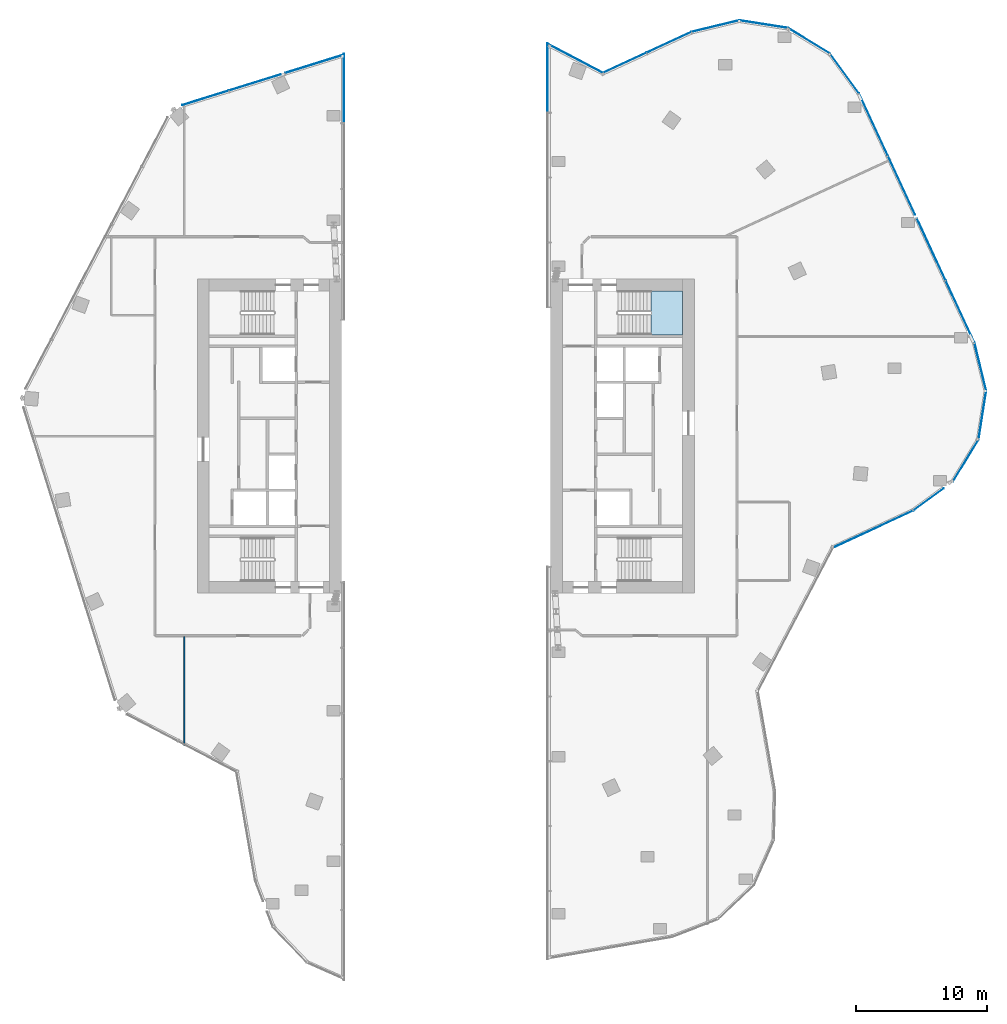
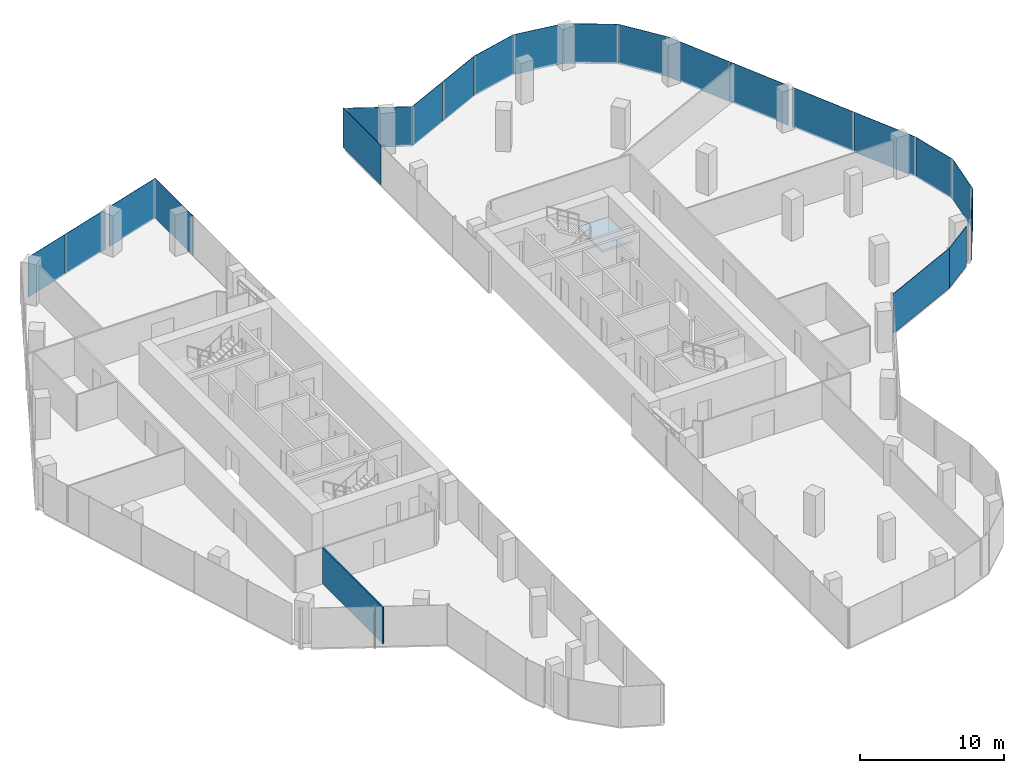
# One storey, part 17 of 23: 21 plates, 1 slab, 1 wall, 16 elements without a shape of their own.
"""IFC4 building model written with IfcOpenShell, lengths in metres."""

from ifc_helpers import new_model, si_unit, direction, frame, frame_2d, origin, origin_2d, place, context, subcontext, project, spatial, polyline, rectangle, outline, extrude, material, layer, layer_set, type_object, element, aggregate, save


model = new_model("IFC4")

# Units and contexts
model_context = context("Model", 3, precision=1e-05, world=origin(), true_north=direction((0.0, 1.0)))
body_context = subcontext(model_context, "Body", "Model", "MODEL_VIEW")
ifc_project = project(units=[si_unit("LENGTHUNIT", "METRE"), si_unit("AREAUNIT", "SQUARE_METRE"), si_unit("VOLUMEUNIT", "CUBIC_METRE"), si_unit("PLANEANGLEUNIT", "RADIAN"), si_unit("MASSUNIT", "GRAM", prefix="KILO")], contexts=[model_context])

# Site, building, storey
site_placement = place(None, origin())
site = spatial("IfcSite", under=ifc_project, at=site_placement, CompositionType="ELEMENT")
building_placement = place(site_placement, origin())
building = spatial("IfcBuilding", under=site, at=building_placement, Name="Orlundy Tower", CompositionType="ELEMENT")
storey_placement = place(building_placement, frame((0.0, 0.0, 264.0)))
storey = spatial("IfcBuildingStorey", under=building, at=storey_placement, Name="L70", CompositionType="ELEMENT", Elevation=264.0)

# Curtain wall, plates
ifc_material_1 = material(Name="Aluminium bronze anodised", Category="aluminium")
curtain_wall_type = type_object("IfcCurtainWallType", Name="CW1 wall", PredefinedType="NOTDEFINED", material=ifc_material_1)
curtain_wall_1_placement = place(storey_placement, origin())
curtain_wall_1 = element("IfcCurtainWall", 1, at=curtain_wall_1_placement, inside=storey, type_object=curtain_wall_type, Name="CW1 run 03", PredefinedType="NOTDEFINED")
ifc_material_2 = material(Name="Tinted glass", Category="glass")
ifc_layer_1 = layer(ifc_material_2, 0.031982421875)
ifc_layer_set_1 = layer_set([ifc_layer_1], Name="CW1 glass panel 32")
plate_type_1 = type_object("IfcPlateType", Name="CW1 glass panel 32", PredefinedType="CURTAIN_PANEL", material=ifc_layer_set_1)
plate_1_placement = place(storey_placement, frame((-18.385009765625, 25.860595703125, -0.280029296875), z_axis=(0.0, 0.0, 1.0), x_axis=(0.954586077066, 0.297935263894, 0.0)))
plate_1 = element("IfcPlate", 2, at=plate_1_placement, type_object=plate_type_1, Name="CW1 panel", PredefinedType="CURTAIN_PANEL", context=body_context, shape_type="SweptSolid", body=[
    extrude(rectangle(XDim=3.727294921875, YDim=0.031982421875, at=origin_2d()), origin(), (0.0, 0.0, 1.0), 3.3798828125),
])
plate_2_placement = place(storey_placement, frame((-14.598388671875, 27.042236328125, -0.280029296875), z_axis=(0.0, 0.0, 1.0), x_axis=(0.954586077066, 0.297935263894, 0.0)))
plate_2 = element("IfcPlate", 3, at=plate_2_placement, type_object=plate_type_1, Name="CW1 panel", PredefinedType="CURTAIN_PANEL", context=body_context, shape_type="SweptSolid", body=[
    extrude(rectangle(XDim=4.106201171875, YDim=0.031982421875, at=origin_2d()), origin(), (0.0, 0.0, 1.0), 3.3798828125),
])
plate_3_placement = place(storey_placement, frame((-10.0498046875, 28.4619140625, -0.280029296875), z_axis=(0.0, 0.0, 1.0), x_axis=(0.954586077066, 0.297935263894, 0.0)))
plate_3 = element("IfcPlate", 4, at=plate_3_placement, type_object=plate_type_1, Name="CW1 panel", PredefinedType="CURTAIN_PANEL", context=body_context, shape_type="SweptSolid", body=[
    extrude(rectangle(XDim=4.638427734375, YDim=0.031982421875, at=origin_2d()), origin(), (0.0, 0.0, 1.0), 3.3798828125),
])
aggregate(curtain_wall_1, [plate_1, plate_2, plate_3])

curtain_wall_2_placement = place(storey_placement, origin())
curtain_wall_2 = element("IfcCurtainWall", 5, at=curtain_wall_2_placement, inside=storey, type_object=curtain_wall_type, Name="CW1 run 10", PredefinedType="NOTDEFINED")
plate_4_placement = place(storey_placement, frame((13.65625, 28.538330078125, -0.280029296875), z_axis=(0.0, 0.0, 1.0), x_axis=(0.907535327513, 0.419975748486, 0.0)))
plate_4 = element("IfcPlate", 6, at=plate_4_placement, type_object=plate_type_1, Name="CW1 panel", PredefinedType="CURTAIN_PANEL", context=body_context, shape_type="SweptSolid", body=[
    extrude(rectangle(XDim=3.659912109375, YDim=0.031982421875, at=origin_2d()), origin(), (0.0, 0.0, 1.0), 3.3798828125),
])
plate_5_placement = place(storey_placement, frame((17.0556640625, 30.111328125, -0.280029296875), z_axis=(0.0, 0.0, 1.0), x_axis=(0.907535327513, 0.419975748486, 0.0)))
plate_5 = element("IfcPlate", 7, at=plate_5_placement, type_object=plate_type_1, Name="CW1 panel", PredefinedType="CURTAIN_PANEL", context=body_context, shape_type="SweptSolid", body=[
    extrude(rectangle(XDim=3.731689453125, YDim=0.031982421875, at=origin_2d()), origin(), (0.0, 0.0, 1.0), 3.3798828125),
])
aggregate(curtain_wall_2, [plate_4, plate_5])

# Curtain wall, plate
curtain_wall_3_placement = place(storey_placement, origin())
curtain_wall_3 = element("IfcCurtainWall", 8, at=curtain_wall_3_placement, inside=storey, type_object=curtain_wall_type, Name="CW1 run 11", PredefinedType="NOTDEFINED")
plate_6_placement = place(storey_placement, frame((20.609130859375, 31.349853515625, -0.280029296875), z_axis=(0.0, 0.0, 1.0), x_axis=(0.972001521614, 0.234974556025, 0.0)))
plate_6 = element("IfcPlate", 9, at=plate_6_placement, type_object=plate_type_1, Name="CW1 panel", PredefinedType="CURTAIN_PANEL", context=body_context, shape_type="SweptSolid", body=[
    extrude(rectangle(XDim=3.73046875, YDim=0.031982421875, at=origin_2d()), origin(), (0.0, 0.0, 1.0), 3.3798828125),
])
aggregate(curtain_wall_3, [plate_6])

curtain_wall_4_placement = place(storey_placement, origin())
curtain_wall_4 = element("IfcCurtainWall", 10, at=curtain_wall_4_placement, inside=storey, type_object=curtain_wall_type, Name="CW1 run 12", PredefinedType="NOTDEFINED")
plate_7_placement = place(storey_placement, frame((24.285400390625, 31.49560546875, -0.280029296875), z_axis=(0.0, 0.0, 1.0), x_axis=(0.987896030416, -0.15511748157, 0.0)))
plate_7 = element("IfcPlate", 11, at=plate_7_placement, type_object=plate_type_1, Name="CW1 panel", PredefinedType="CURTAIN_PANEL", context=body_context, shape_type="SweptSolid", body=[
    extrude(rectangle(XDim=3.772216796875, YDim=0.031982421875, at=origin_2d()), origin(), (0.0, 0.0, 1.0), 3.3798828125),
])
aggregate(curtain_wall_4, [plate_7])

curtain_wall_5_placement = place(storey_placement, origin())
curtain_wall_5 = element("IfcCurtainWall", 12, at=curtain_wall_5_placement, inside=storey, type_object=curtain_wall_type, Name="CW1 run 13", PredefinedType="NOTDEFINED")
plate_8_placement = place(storey_placement, frame((27.758544921875, 30.219970703125, -0.280029296875), z_axis=(0.0, 0.0, 1.0), x_axis=(0.853468477843, -0.521144468768, 0.0)))
plate_8 = element("IfcPlate", 13, at=plate_8_placement, type_object=plate_type_1, Name="CW1 panel", PredefinedType="CURTAIN_PANEL", context=body_context, shape_type="SweptSolid", body=[
    extrude(rectangle(XDim=3.7724609375, YDim=0.031982421875, at=origin_2d()), origin(), (0.0, 0.0, 1.0), 3.3798828125),
])
aggregate(curtain_wall_5, [plate_8])

curtain_wall_6_placement = place(storey_placement, origin())
curtain_wall_6 = element("IfcCurtainWall", 14, at=curtain_wall_6_placement, inside=storey, type_object=curtain_wall_type, Name="CW1 run 14", PredefinedType="NOTDEFINED")
plate_9_placement = place(storey_placement, frame((30.466796875, 27.7294921875, -0.280029296875), z_axis=(0.0, 0.0, 1.0), x_axis=(0.588893262489, -0.80821081742, 0.0)))
plate_9 = element("IfcPlate", 15, at=plate_9_placement, type_object=plate_type_1, Name="CW1 panel", PredefinedType="CURTAIN_PANEL", context=body_context, shape_type="SweptSolid", body=[
    extrude(rectangle(XDim=3.730712890625, YDim=0.031982421875, at=origin_2d()), origin(), (0.0, 0.0, 1.0), 3.3798828125),
])
aggregate(curtain_wall_6, [plate_9])

# Curtain wall, plates
curtain_wall_7_placement = place(storey_placement, origin())
curtain_wall_7 = element("IfcCurtainWall", 16, at=curtain_wall_7_placement, inside=storey, type_object=curtain_wall_type, Name="CW1 run 15", PredefinedType="NOTDEFINED")
plate_10_placement = place(storey_placement, frame((32.685791015625, 23.81201171875, -0.280029296875), z_axis=(0.0, 0.0, 1.0), x_axis=(0.419960892154, -0.907542202358, 0.0)))
plate_10 = element("IfcPlate", 17, at=plate_10_placement, type_object=plate_type_1, Name="CW1 panel", PredefinedType="CURTAIN_PANEL", context=body_context, shape_type="SweptSolid", body=[
    extrude(rectangle(XDim=5.2158203125, YDim=0.031982421875, at=origin_2d()), origin(), (0.0, 0.0, 1.0), 3.3798828125),
])
plate_11_placement = place(storey_placement, frame((34.834716796875, 19.16845703125, -0.280029296875), z_axis=(0.0, 0.0, 1.0), x_axis=(0.419960892154, -0.907542202358, 0.0)))
plate_11 = element("IfcPlate", 18, at=plate_11_placement, type_object=plate_type_1, Name="CW1 panel", PredefinedType="CURTAIN_PANEL", context=body_context, shape_type="SweptSolid", body=[
    extrude(rectangle(XDim=4.917236328125, YDim=0.031982421875, at=origin_2d()), origin(), (0.0, 0.0, 1.0), 3.3798828125),
])
plate_12_placement = place(storey_placement, frame((37.0986328125, 14.275634765625, -0.280029296875), z_axis=(0.0, 0.0, 1.0), x_axis=(0.419960892154, -0.907542202358, 0.0)))
plate_12 = element("IfcPlate", 19, at=plate_12_placement, type_object=plate_type_1, Name="CW1 panel", PredefinedType="CURTAIN_PANEL", context=body_context, shape_type="SweptSolid", body=[
    extrude(rectangle(XDim=5.199951171875, YDim=0.031982421875, at=origin_2d()), origin(), (0.0, 0.0, 1.0), 3.3798828125),
])
plate_13_placement = place(storey_placement, frame((39.306884765625, 9.50390625, -0.280029296875), z_axis=(0.0, 0.0, 1.0), x_axis=(0.419960892154, -0.907542202358, 0.0)))
plate_13 = element("IfcPlate", 20, at=plate_13_placement, type_object=plate_type_1, Name="CW1 panel", PredefinedType="CURTAIN_PANEL", context=body_context, shape_type="SweptSolid", body=[
    extrude(rectangle(XDim=5.2158203125, YDim=0.031982421875, at=origin_2d()), origin(), (0.0, 0.0, 1.0), 3.3798828125),
])
aggregate(curtain_wall_7, [plate_10, plate_11, plate_12, plate_13])

# Curtain wall, plate
curtain_wall_8_placement = place(storey_placement, origin())
curtain_wall_8 = element("IfcCurtainWall", 21, at=curtain_wall_8_placement, inside=storey, type_object=curtain_wall_type, Name="CW1 run 16", PredefinedType="NOTDEFINED")
plate_14_placement = place(storey_placement, frame((40.856689453125, 5.27685546875, -0.280029296875), z_axis=(0.0, 0.0, 1.0), x_axis=(0.234974556025, -0.972001521614, 0.0)))
plate_14 = element("IfcPlate", 22, at=plate_14_placement, type_object=plate_type_1, Name="CW1 panel", PredefinedType="CURTAIN_PANEL", context=body_context, shape_type="SweptSolid", body=[
    extrude(rectangle(XDim=3.73046875, YDim=0.031982421875, at=origin_2d()), origin(), (0.0, 0.0, 1.0), 3.3798828125),
])
aggregate(curtain_wall_8, [plate_14])

curtain_wall_9_placement = place(storey_placement, origin())
curtain_wall_9 = element("IfcCurtainWall", 23, at=curtain_wall_9_placement, inside=storey, type_object=curtain_wall_type, Name="CW1 run 17", PredefinedType="NOTDEFINED")
plate_15_placement = place(storey_placement, frame((41.00244140625, 1.6005859375, -0.280029296875), z_axis=(0.0, 0.0, 1.0), x_axis=(-0.15511748157, -0.987896030416, 0.0)))
plate_15 = element("IfcPlate", 24, at=plate_15_placement, type_object=plate_type_1, Name="CW1 panel", PredefinedType="CURTAIN_PANEL", context=body_context, shape_type="SweptSolid", body=[
    extrude(rectangle(XDim=3.772216796875, YDim=0.031982421875, at=origin_2d()), origin(), (0.0, 0.0, 1.0), 3.3798828125),
])
aggregate(curtain_wall_9, [plate_15])

curtain_wall_10_placement = place(storey_placement, origin())
curtain_wall_10 = element("IfcCurtainWall", 25, at=curtain_wall_10_placement, inside=storey, type_object=curtain_wall_type, Name="CW1 run 18", PredefinedType="NOTDEFINED")
plate_16_placement = place(storey_placement, frame((39.72705078125, -1.8720703125, -0.280029296875), z_axis=(0.0, 0.0, 1.0), x_axis=(-0.521264467859, -0.85339519248, 0.0)))
plate_16 = element("IfcPlate", 26, at=plate_16_placement, type_object=plate_type_1, Name="CW1 panel", PredefinedType="CURTAIN_PANEL", context=body_context, shape_type="SweptSolid", body=[
    extrude(rectangle(XDim=3.771484375, YDim=0.031982421875, at=origin_2d()), origin(), (0.0, 0.0, 1.0), 3.3798828125),
])
aggregate(curtain_wall_10, [plate_16])

curtain_wall_11_placement = place(storey_placement, origin())
curtain_wall_11 = element("IfcCurtainWall", 27, at=curtain_wall_11_placement, inside=storey, type_object=curtain_wall_type, Name="CW1 run 19", PredefinedType="NOTDEFINED")
plate_17_placement = place(storey_placement, frame((36.887939453125, -4.834228515625, -0.280029296875), z_axis=(0.0, 0.0, 1.0), x_axis=(-0.808117234179, -0.58902167687, 0.0)))
plate_17 = element("IfcPlate", 28, at=plate_17_placement, type_object=plate_type_1, Name="CW1 panel", PredefinedType="CURTAIN_PANEL", context=body_context, shape_type="SweptSolid", body=[
    extrude(rectangle(XDim=2.8662109375, YDim=0.031982421875, at=origin_2d()), origin(), (0.0, 0.0, 1.0), 3.3798828125),
])
aggregate(curtain_wall_11, [plate_17])

curtain_wall_12_placement = place(storey_placement, origin())
curtain_wall_12 = element("IfcCurtainWall", 29, at=curtain_wall_12_placement, inside=storey, type_object=curtain_wall_type, Name="CW1 run 110", PredefinedType="NOTDEFINED")
plate_18_placement = place(storey_placement, frame((32.637451171875, -7.114501953125, -0.280029296875), z_axis=(0.0, 0.0, 1.0), x_axis=(-0.907549103061, -0.419945979305, 0.0)))
plate_18 = element("IfcPlate", 30, at=plate_18_placement, type_object=plate_type_1, Name="CW1 panel", PredefinedType="CURTAIN_PANEL", context=body_context, shape_type="SweptSolid", body=[
    extrude(rectangle(XDim=6.719482421875, YDim=0.031982421875, at=origin_2d()), origin(), (0.0, 0.0, 1.0), 3.3798828125),
])
aggregate(curtain_wall_12, [plate_18])

curtain_wall_13_placement = place(storey_placement, origin())
curtain_wall_13 = element("IfcCurtainWall", 31, at=curtain_wall_13_placement, inside=storey, type_object=curtain_wall_type, Name="CW1 run 119", PredefinedType="NOTDEFINED")
plate_19_placement = place(storey_placement, frame((9.915771484375, 28.85986328125, -0.280029296875), z_axis=(0.0, 0.0, 1.0), x_axis=(0.885696843305, -0.464264043147, 0.0)))
plate_19 = element("IfcPlate", 32, at=plate_19_placement, type_object=plate_type_1, Name="CW1 panel", PredefinedType="CURTAIN_PANEL", context=body_context, shape_type="SweptSolid", body=[
    extrude(rectangle(XDim=4.6962890625, YDim=0.031982421875, at=origin_2d()), origin(), (0.0, 0.0, 1.0), 3.3798828125),
])
aggregate(curtain_wall_13, [plate_19])

curtain_wall_14_placement = place(storey_placement, origin())
curtain_wall_14 = element("IfcCurtainWall", 33, at=curtain_wall_14_placement, inside=storey, type_object=curtain_wall_type, Name="CW1 run 04", PredefinedType="NOTDEFINED")
ifc_material_3 = material(Name="Tinted glass", Category="glass")
ifc_layer_2 = layer(ifc_material_3, 0.035888671875)
ifc_layer_set_2 = layer_set([ifc_layer_2], Name="CW6 glass panel 36")
plate_type_2 = type_object("IfcPlateType", Name="CW6 glass panel 36", PredefinedType="CURTAIN_PANEL", material=ifc_layer_set_2)
plate_20_placement = place(storey_placement, frame((-7.778076171875, 26.575439453125, -0.240234375), z_axis=(0.0, 0.0, 1.0), x_axis=(0.0, -1.0, 0.0)))
plate_20 = element("IfcPlate", 34, at=plate_20_placement, type_object=plate_type_2, Name="CW6 panel", PredefinedType="CURTAIN_PANEL", context=body_context, shape_type="SweptSolid", body=[
    extrude(rectangle(XDim=5.312744140625, YDim=0.035888671875, at=origin_2d()), origin(), (0.0, 0.0, 1.0), 3.340087890625),
])
aggregate(curtain_wall_14, [plate_20])

curtain_wall_15_placement = place(storey_placement, origin())
curtain_wall_15 = element("IfcCurtainWall", 35, at=curtain_wall_15_placement, inside=storey, type_object=curtain_wall_type, Name="CW1 run 118", PredefinedType="NOTDEFINED")
plate_21_placement = place(storey_placement, frame((7.778076171875, 27.384033203125, -0.240234375), z_axis=(0.0, 0.0, 1.0), x_axis=(0.0, 1.0, 0.0)))
plate_21 = element("IfcPlate", 36, at=plate_21_placement, type_object=plate_type_2, Name="CW6 panel", PredefinedType="CURTAIN_PANEL", context=body_context, shape_type="SweptSolid", body=[
    extrude(rectangle(XDim=5.323974609375, YDim=0.035888671875, at=origin_2d()), origin(), (0.0, 0.0, 1.0), 3.340087890625),
])
aggregate(curtain_wall_15, [plate_21])

# Stair, slab
ifc_material_4 = material(Name="Concrete C50/60", Category="concrete")
stair_type = type_object("IfcStairType", Name="Exit Stair 20 risers", PredefinedType="HALF_TURN_STAIR", material=ifc_material_4)
stair_placement = place(storey_placement, origin())
stair = element("IfcStair", 37, at=stair_placement, inside=storey, type_object=stair_type, Name="L70 Exit Stair ST-E2", PredefinedType="HALF_TURN_STAIR")
ifc_material_5 = material(Name="Concrete C50/60", Category="concrete")
ifc_layer_3 = layer(ifc_material_5, 0.199951171875)
ifc_layer_set_3 = layer_set([ifc_layer_3], Name="Exit Stair Landing")
slab_type = type_object("IfcSlabType", Name="Exit Stair Landing", PredefinedType="LANDING", material=ifc_layer_set_3)
slab_placement = place(storey_placement, frame((0.0, 0.0, 1.550048828125)))
slab = element("IfcSlab", 38, at=slab_placement, type_object=slab_type, Name="ST-E2 landing 1", PredefinedType="LANDING", context=body_context, shape_type="SweptSolid", body=[
    extrude(outline(polyline([(15.659912109375, 7.75), (18.10009765625, 7.75), (18.10009765625, 11.10009765625), (15.659912109375, 11.10009765625), (15.659912109375, 7.75)])), origin(), (0.0, 0.0, 1.0), 0.199951171875),
])
aggregate(stair, [slab])

# Wall
ifc_material_6 = material(Name="Gypsum board partition")
ifc_layer_4 = layer(ifc_material_6, 0.10009765625)
ifc_layer_set_4 = layer_set([ifc_layer_4], Name="Floor partition 100")
wall_type = type_object("IfcWallType", Name="Floor partition 100", PredefinedType="PARTITIONING", material=ifc_layer_set_4)
wall_placement = place(storey_placement, frame((-20.0, -23.6689453125, 0.0), z_axis=(0.0, 0.0, 1.0), x_axis=(0.0, 1.0, 0.0)))
element("IfcWall", 39, at=wall_placement, inside=storey, type_object=wall_type, Name="wall-int-L70-022", PredefinedType="PARTITIONING", context=body_context, shape_type="SweptSolid", body=[
    extrude(rectangle(XDim=8.35693359375, YDim=0.10009765625, at=frame_2d((4.178466796875, 0.0))), origin(), (0.0, 0.0, 1.0), 3.080078125),
])

save(model, "model.ifc")
